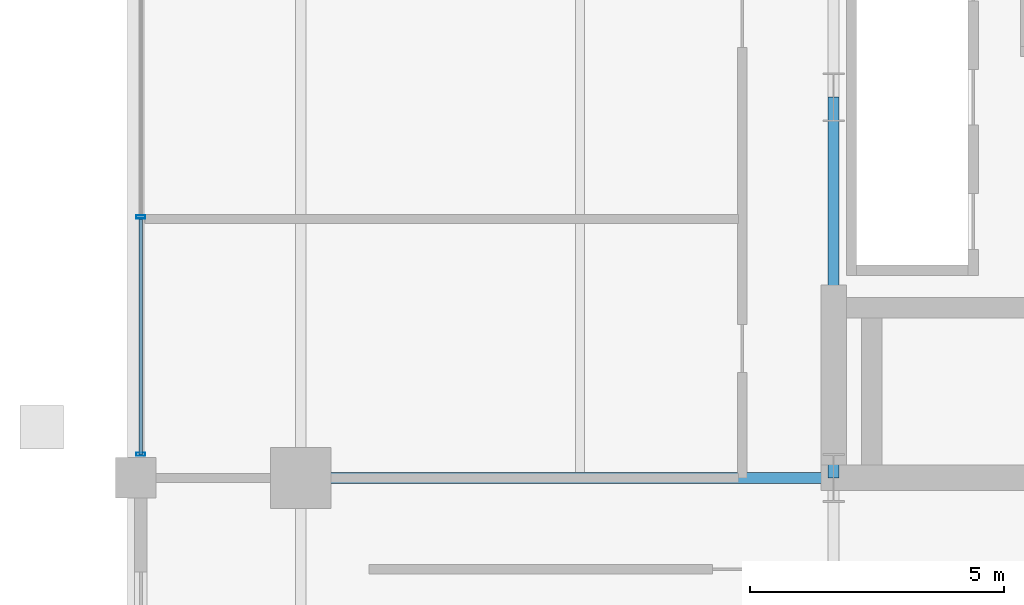
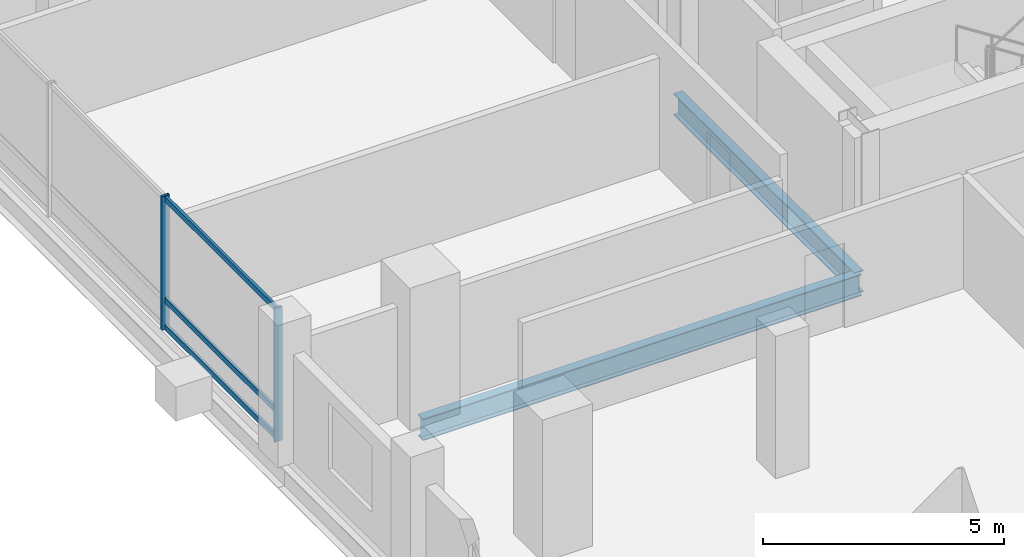
# One storey, part 4 of 19: 5 members, 2 beams, 1 element without a shape of its own.
"""IFC4 building model written with IfcOpenShell, lengths in metres."""

from ifc_helpers import new_model, si_unit, direction, frame, origin, origin_2d, place, context, subcontext, project, spatial, hollow_rectangle, i_section, extrude, material, layer, layer_set, material_profile, profile_set, type_object, element, aggregate, save


model = new_model("IFC4")

# Units and contexts
model_context = context("Model", 3, precision=1e-05, world=origin(), true_north=direction((0.0, 1.0)))
body_context = subcontext(model_context, "Body", "Model", "MODEL_VIEW")
ifc_project = project(units=[si_unit("LENGTHUNIT", "METRE"), si_unit("AREAUNIT", "SQUARE_METRE"), si_unit("VOLUMEUNIT", "CUBIC_METRE"), si_unit("PLANEANGLEUNIT", "RADIAN"), si_unit("MASSUNIT", "GRAM", prefix="KILO")], contexts=[model_context])

# Site, building, storey
site_placement = place(None, origin())
site = spatial("IfcSite", under=ifc_project, at=site_placement, CompositionType="ELEMENT")
building_placement = place(site_placement, origin())
building = spatial("IfcBuilding", under=site, at=building_placement, Name="Barlavira Tower and Art Museum", CompositionType="ELEMENT")
storey_placement = place(building_placement, frame((0.0, 0.0, 113.39990234375)))
storey = spatial("IfcBuildingStorey", under=building, at=storey_placement, Name="L28", CompositionType="ELEMENT", Elevation=113.39990234375)

# Curtain wall, members
ifc_material_1 = material(Name="Low-iron coastal laminated glass", Category="glass")
ifc_layer = layer(ifc_material_1, 0.18994140625, Name="Low-iron coastal laminated glass")
ifc_layer_set = layer_set([ifc_layer], Name="Low-iron coastal laminated glass")
curtain_wall_type = type_object("IfcCurtainWallType", Name="Pale-Metal Unitised Curtain Wall Zone 2", PredefinedType="NOTDEFINED", material=ifc_layer_set)
curtain_wall_placement = place(storey_placement, origin())
curtain_wall = element("IfcCurtainWall", 1, at=curtain_wall_placement, inside=storey, type_object=curtain_wall_type, Name="L28 Curtain Wall CW2-L28-W-B3", PredefinedType="NOTDEFINED")
ifc_material_2 = material(Name="Pale anodised aluminium", Category="aluminium")
ifc_material_profile_1 = material_profile(ifc_material_2, hollow_rectangle(XDim=0.06494140625, YDim=0.179931640625, WallThickness=0.00390625, at=origin_2d()), Name="ALU-MULL 65x180x4")
ifc_profile_set_1 = profile_set([ifc_material_profile_1], Name="Pale anodised aluminium")
member_type_1 = type_object("IfcMemberType", Name="Curtain Wall Pale-Metal Mullion 65x180", PredefinedType="MULLION", material=ifc_profile_set_1)
member_1_placement = place(storey_placement, frame((-20.14990234375, -2.360107421875, 0.0), z_axis=(0.0, 0.0, 1.0), x_axis=(0.0, -1.0, 0.0)))
member_1 = element("IfcMember", 2, at=member_1_placement, type_object=member_type_1, Name="CW2-L28-W-B3 Mullion 2", PredefinedType="MULLION", context=body_context, shape_type="SweptSolid", body=[
    extrude(hollow_rectangle(XDim=0.06494140625, YDim=0.179931640625, WallThickness=0.00390625, at=origin_2d()), origin(), (0.0, 0.0, 1.0), 3.380126953125),
])
member_2_placement = place(storey_placement, frame((-20.14990234375, -7.034912109375, 0.0), z_axis=(0.0, 0.0, 1.0), x_axis=(0.0, -1.0, 0.0)))
member_2 = element("IfcMember", 3, at=member_2_placement, type_object=member_type_1, Name="CW2-L28-W-B3 Mullion 3", PredefinedType="MULLION", context=body_context, shape_type="SweptSolid", body=[
    extrude(hollow_rectangle(XDim=0.06494140625, YDim=0.179931640625, WallThickness=0.00390625, at=origin_2d()), origin(), (0.0, 0.0, 1.0), 3.380126953125),
])
ifc_material_profile_2 = material_profile(ifc_material_2, hollow_rectangle(XDim=0.06494140625, YDim=0.139892578125, WallThickness=0.00390625, at=origin_2d()), Name="ALU-TRAN 65x140x4")
ifc_profile_set_2 = profile_set([ifc_material_profile_2], Name="Pale anodised aluminium")
member_type_2 = type_object("IfcMemberType", Name="Curtain Wall Pale-Metal Transom 65x140", PredefinedType="USERDEFINED", material=ifc_profile_set_2)
member_3_placement = place(storey_placement, frame((-20.14990234375, -2.405029296875, 0.070068359375), z_axis=(0.0, -1.0, 0.0), x_axis=(1.0, 0.0, 0.0)))
member_3 = element("IfcMember", 4, at=member_3_placement, type_object=member_type_2, Name="CW2-L28-W-B3 Transom 2.1", ObjectType="TRANSOM", PredefinedType="USERDEFINED", context=body_context, shape_type="SweptSolid", body=[
    extrude(hollow_rectangle(XDim=0.06494140625, YDim=0.139892578125, WallThickness=0.00390625, at=origin_2d()), origin(), (0.0, 0.0, 1.0), 4.6298828125),
])
member_4_placement = place(storey_placement, frame((-20.14990234375, -2.405029296875, 0.744140625), z_axis=(0.0, -1.0, 0.0), x_axis=(1.0, 0.0, 0.0)))
member_4 = element("IfcMember", 5, at=member_4_placement, type_object=member_type_2, Name="CW2-L28-W-B3 Transom 2.2", ObjectType="TRANSOM", PredefinedType="USERDEFINED", context=body_context, shape_type="SweptSolid", body=[
    extrude(hollow_rectangle(XDim=0.06494140625, YDim=0.139892578125, WallThickness=0.00390625, at=origin_2d()), origin(), (0.0, 0.0, 1.0), 4.6298828125),
])
member_5_placement = place(storey_placement, frame((-20.14990234375, -2.405029296875, 3.31005859375), z_axis=(0.0, -1.0, 0.0), x_axis=(1.0, 0.0, 0.0)))
member_5 = element("IfcMember", 6, at=member_5_placement, type_object=member_type_2, Name="CW2-L28-W-B3 Transom 2.3", ObjectType="TRANSOM", PredefinedType="USERDEFINED", context=body_context, shape_type="SweptSolid", body=[
    extrude(hollow_rectangle(XDim=0.06494140625, YDim=0.139892578125, WallThickness=0.00390625, at=origin_2d()), origin(), (0.0, 0.0, 1.0), 4.6298828125),
])
aggregate(curtain_wall, [member_1, member_2, member_3, member_4, member_5])

# Beams
ifc_material_3 = material(Name="Steel S355", Category="steel")
ifc_material_profile_3 = material_profile(ifc_material_3, i_section(OverallWidth=0.214111328125, OverallDepth=0.549072265625, WebThickness=0.0146484375, FlangeThickness=0.023681640625, at=origin_2d()), Name="W530x138.0")
ifc_profile_set_3 = profile_set([ifc_material_profile_3], Name="Steel S355")
beam_type = type_object("IfcBeamType", Name="Zone 1 Primary Floor Girder W530x138 Steel S355", PredefinedType="BEAM", material=ifc_profile_set_3)
beam_1_placement = place(storey_placement, frame((-6.5, -7.5, -0.494384765625), z_axis=(0.0, 1.0, 0.0), x_axis=(-1.0, 0.0, 0.0)))
element("IfcBeam", 7, at=beam_1_placement, inside=storey, type_object=beam_type, Name="L28 Girder C-W1", PredefinedType="BEAM", context=body_context, shape_type="SweptSolid", body=[
    extrude(i_section(OverallWidth=0.214111328125, OverallDepth=0.549072265625, WebThickness=0.0146484375, FlangeThickness=0.023681640625, at=origin_2d()), origin(), (0.0, 0.0, 1.0), 7.5),
])
beam_2_placement = place(storey_placement, frame((-17.0, -7.5, -0.494384765625), z_axis=(1.0, 0.0, 0.0), x_axis=(0.0, 1.0, 0.0)))
element("IfcBeam", 8, at=beam_2_placement, inside=storey, type_object=beam_type, Name="L28 Girder R-W1", PredefinedType="BEAM", context=body_context, shape_type="SweptSolid", body=[
    extrude(i_section(OverallWidth=0.214111328125, OverallDepth=0.549072265625, WebThickness=0.0146484375, FlangeThickness=0.023681640625, at=origin_2d()), origin(), (0.0, 0.0, 1.0), 10.5),
])

save(model, "model.ifc")
